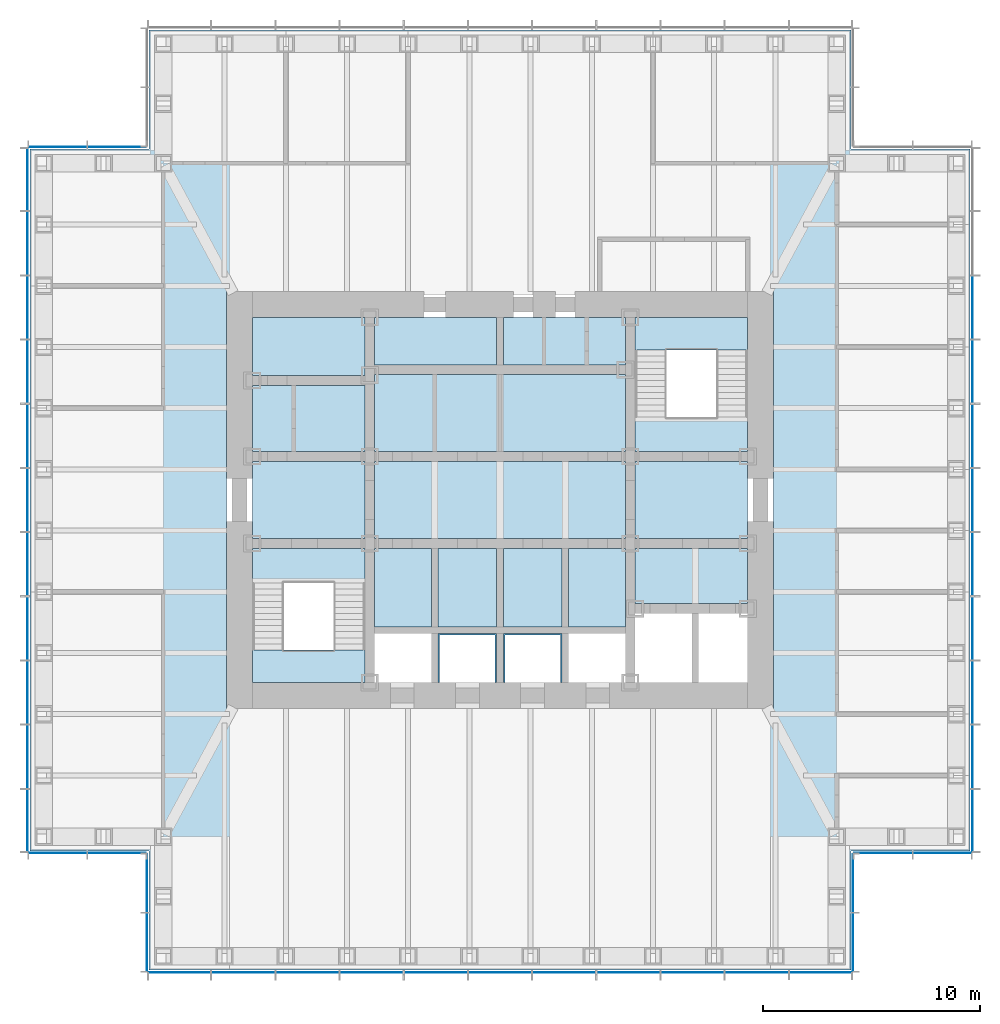
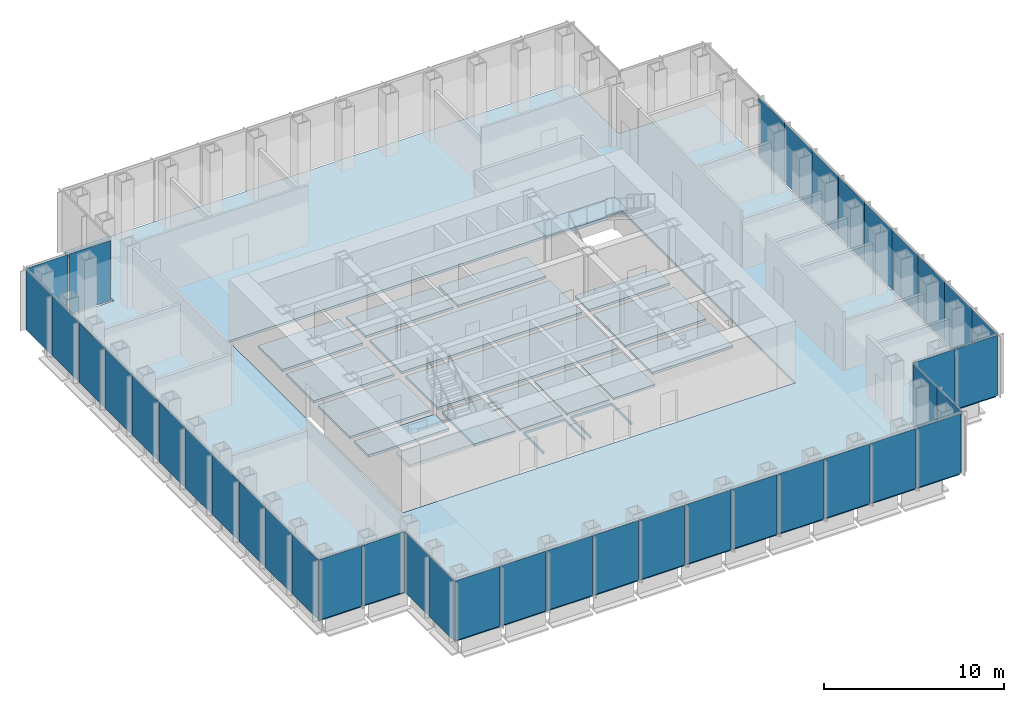
# One storey, part 7 of 16: 41 plates, 20 slabs, 10 elements without a shape of their own.
"""IFC4 building model written with IfcOpenShell, lengths in metres."""

from ifc_helpers import new_model, si_unit, direction, frame, origin, origin_2d, place, context, subcontext, project, spatial, polyline, rectangle, outline, extrude, material, layer, layer_set, type_object, element, aggregate, save


model = new_model("IFC4")

# Units and contexts
model_context = context("Model", 3, precision=1e-05, world=origin(), true_north=direction((0.0, 1.0)))
body_context = subcontext(model_context, "Body", "Model", "MODEL_VIEW")
ifc_project = project(units=[si_unit("LENGTHUNIT", "METRE"), si_unit("AREAUNIT", "SQUARE_METRE"), si_unit("VOLUMEUNIT", "CUBIC_METRE"), si_unit("PLANEANGLEUNIT", "RADIAN"), si_unit("MASSUNIT", "GRAM", prefix="KILO")], contexts=[model_context])

# Site, building, storey
site_placement = place(None, origin())
site = spatial("IfcSite", under=ifc_project, at=site_placement, CompositionType="ELEMENT")
building_placement = place(site_placement, origin())
building = spatial("IfcBuilding", under=site, at=building_placement, Name="Daluyong Arena Tower", CompositionType="ELEMENT")
storey_placement = place(building_placement, frame((0.0, 0.0, 214.89990234375)))
storey = spatial("IfcBuildingStorey", under=building, at=storey_placement, Name="L48", CompositionType="ELEMENT", Elevation=214.89990234375)

# Curtain wall, plates
ifc_material_1 = material(Name="Bronze anodised aluminium and glass", Category="aluminium")
curtain_wall_type_1 = type_object("IfcCurtainWallType", Name="Curtain wall CW3", PredefinedType="USERDEFINED", material=ifc_material_1)
curtain_wall_1_placement = place(storey_placement, origin())
curtain_wall_1 = element("IfcCurtainWall", 1, at=curtain_wall_1_placement, inside=storey, type_object=curtain_wall_type_1, Name="curtain wall L48 S", ObjectType="UNITISED CURTAIN WALL", PredefinedType="USERDEFINED")
ifc_material_2 = material(Name="Tinted double glazed unit", Category="glass")
ifc_layer_1 = layer(ifc_material_2, 0.030029296875)
ifc_layer_set_1 = layer_set([ifc_layer_1], Name="Tinted double glazed unit")
plate_type_1 = type_object("IfcPlateType", Name="CW3 panel 30", PredefinedType="CURTAIN_PANEL", material=ifc_layer_set_1)
plate_1_placement = place(storey_placement, frame((41.244873046875, 58.25, 0.0), z_axis=(0.0, 0.0, 1.0), x_axis=(1.0, 0.0, 0.0)))
plate_1 = element("IfcPlate", 2, at=plate_1_placement, type_object=plate_type_1, Name="curtain wall L48 S panel 1", PredefinedType="CURTAIN_PANEL", context=body_context, shape_type="SweptSolid", body=[
    extrude(rectangle(XDim=2.849609375, YDim=0.030029296875, at=origin_2d()), origin(), (0.0, 0.0, 1.0), 4.0400390625),
])
plate_2_placement = place(storey_placement, frame((44.181884765625, 58.25, 0.0), z_axis=(0.0, 0.0, 1.0), x_axis=(1.0, 0.0, 0.0)))
plate_2 = element("IfcPlate", 3, at=plate_2_placement, type_object=plate_type_1, Name="curtain wall L48 S panel 2", PredefinedType="CURTAIN_PANEL", context=body_context, shape_type="SweptSolid", body=[
    extrude(rectangle(XDim=2.884521484375, YDim=0.030029296875, at=origin_2d()), origin(), (0.0, 0.0, 1.0), 4.0400390625),
])
plate_3_placement = place(storey_placement, frame((47.136474609375, 58.25, 0.0), z_axis=(0.0, 0.0, 1.0), x_axis=(1.0, 0.0, 0.0)))
plate_3 = element("IfcPlate", 4, at=plate_3_placement, type_object=plate_type_1, Name="curtain wall L48 S panel 3", PredefinedType="CURTAIN_PANEL", context=body_context, shape_type="SweptSolid", body=[
    extrude(rectangle(XDim=2.884521484375, YDim=0.030029296875, at=origin_2d()), origin(), (0.0, 0.0, 1.0), 4.0400390625),
])
plate_4_placement = place(storey_placement, frame((50.0908203125, 58.25, 0.0), z_axis=(0.0, 0.0, 1.0), x_axis=(1.0, 0.0, 0.0)))
plate_4 = element("IfcPlate", 5, at=plate_4_placement, type_object=plate_type_1, Name="curtain wall L48 S panel 4", PredefinedType="CURTAIN_PANEL", context=body_context, shape_type="SweptSolid", body=[
    extrude(rectangle(XDim=2.884521484375, YDim=0.030029296875, at=origin_2d()), origin(), (0.0, 0.0, 1.0), 4.0400390625),
])
plate_5_placement = place(storey_placement, frame((53.04541015625, 58.25, 0.0), z_axis=(0.0, 0.0, 1.0), x_axis=(1.0, 0.0, 0.0)))
plate_5 = element("IfcPlate", 6, at=plate_5_placement, type_object=plate_type_1, Name="curtain wall L48 S panel 5", PredefinedType="CURTAIN_PANEL", context=body_context, shape_type="SweptSolid", body=[
    extrude(rectangle(XDim=2.884521484375, YDim=0.030029296875, at=origin_2d()), origin(), (0.0, 0.0, 1.0), 4.0400390625),
])
plate_6_placement = place(storey_placement, frame((56.0, 58.25, 0.0), z_axis=(0.0, 0.0, 1.0), x_axis=(1.0, 0.0, 0.0)))
plate_6 = element("IfcPlate", 7, at=plate_6_placement, type_object=plate_type_1, Name="curtain wall L48 S panel 6", PredefinedType="CURTAIN_PANEL", context=body_context, shape_type="SweptSolid", body=[
    extrude(rectangle(XDim=2.884521484375, YDim=0.030029296875, at=origin_2d()), origin(), (0.0, 0.0, 1.0), 4.0400390625),
])
plate_7_placement = place(storey_placement, frame((58.95458984375, 58.25, 0.0), z_axis=(0.0, 0.0, 1.0), x_axis=(1.0, 0.0, 0.0)))
plate_7 = element("IfcPlate", 8, at=plate_7_placement, type_object=plate_type_1, Name="curtain wall L48 S panel 7", PredefinedType="CURTAIN_PANEL", context=body_context, shape_type="SweptSolid", body=[
    extrude(rectangle(XDim=2.884521484375, YDim=0.030029296875, at=origin_2d()), origin(), (0.0, 0.0, 1.0), 4.0400390625),
])
plate_8_placement = place(storey_placement, frame((61.9091796875, 58.25, 0.0), z_axis=(0.0, 0.0, 1.0), x_axis=(1.0, 0.0, 0.0)))
plate_8 = element("IfcPlate", 9, at=plate_8_placement, type_object=plate_type_1, Name="curtain wall L48 S panel 8", PredefinedType="CURTAIN_PANEL", context=body_context, shape_type="SweptSolid", body=[
    extrude(rectangle(XDim=2.884521484375, YDim=0.030029296875, at=origin_2d()), origin(), (0.0, 0.0, 1.0), 4.0400390625),
])
plate_9_placement = place(storey_placement, frame((64.863525390625, 58.25, 0.0), z_axis=(0.0, 0.0, 1.0), x_axis=(1.0, 0.0, 0.0)))
plate_9 = element("IfcPlate", 10, at=plate_9_placement, type_object=plate_type_1, Name="curtain wall L48 S panel 9", PredefinedType="CURTAIN_PANEL", context=body_context, shape_type="SweptSolid", body=[
    extrude(rectangle(XDim=2.884521484375, YDim=0.030029296875, at=origin_2d()), origin(), (0.0, 0.0, 1.0), 4.0400390625),
])
plate_10_placement = place(storey_placement, frame((67.818115234375, 58.25, 0.0), z_axis=(0.0, 0.0, 1.0), x_axis=(1.0, 0.0, 0.0)))
plate_10 = element("IfcPlate", 11, at=plate_10_placement, type_object=plate_type_1, Name="curtain wall L48 S panel 10", PredefinedType="CURTAIN_PANEL", context=body_context, shape_type="SweptSolid", body=[
    extrude(rectangle(XDim=2.884521484375, YDim=0.030029296875, at=origin_2d()), origin(), (0.0, 0.0, 1.0), 4.0400390625),
])
plate_11_placement = place(storey_placement, frame((70.755126953125, 58.25, 0.0), z_axis=(0.0, 0.0, 1.0), x_axis=(1.0, 0.0, 0.0)))
plate_11 = element("IfcPlate", 12, at=plate_11_placement, type_object=plate_type_1, Name="curtain wall L48 S panel 11", PredefinedType="CURTAIN_PANEL", context=body_context, shape_type="SweptSolid", body=[
    extrude(rectangle(XDim=2.849609375, YDim=0.030029296875, at=origin_2d()), origin(), (0.0, 0.0, 1.0), 4.0400390625),
])
aggregate(curtain_wall_1, [plate_1, plate_2, plate_3, plate_4, plate_5, plate_6, plate_7, plate_8, plate_9, plate_10, plate_11])

curtain_wall_2_placement = place(storey_placement, origin())
curtain_wall_2 = element("IfcCurtainWall", 13, at=curtain_wall_2_placement, inside=storey, type_object=curtain_wall_type_1, Name="curtain wall L48 E", ObjectType="UNITISED CURTAIN WALL", PredefinedType="USERDEFINED")
plate_12_placement = place(storey_placement, frame((77.75, 65.244873046875, 0.0), z_axis=(0.0, 0.0, 1.0), x_axis=(0.0, 1.0, 0.0)))
plate_12 = element("IfcPlate", 14, at=plate_12_placement, type_object=plate_type_1, Name="curtain wall L48 E panel 1", PredefinedType="CURTAIN_PANEL", context=body_context, shape_type="SweptSolid", body=[
    extrude(rectangle(XDim=2.849609375, YDim=0.030029296875, at=origin_2d()), origin(), (0.0, 0.0, 1.0), 4.0400390625),
])
plate_13_placement = place(storey_placement, frame((77.75, 68.181884765625, 0.0), z_axis=(0.0, 0.0, 1.0), x_axis=(0.0, 1.0, 0.0)))
plate_13 = element("IfcPlate", 15, at=plate_13_placement, type_object=plate_type_1, Name="curtain wall L48 E panel 2", PredefinedType="CURTAIN_PANEL", context=body_context, shape_type="SweptSolid", body=[
    extrude(rectangle(XDim=2.884521484375, YDim=0.030029296875, at=origin_2d()), origin(), (0.0, 0.0, 1.0), 4.0400390625),
])
plate_14_placement = place(storey_placement, frame((77.75, 71.136474609375, 0.0), z_axis=(0.0, 0.0, 1.0), x_axis=(0.0, 1.0, 0.0)))
plate_14 = element("IfcPlate", 16, at=plate_14_placement, type_object=plate_type_1, Name="curtain wall L48 E panel 3", PredefinedType="CURTAIN_PANEL", context=body_context, shape_type="SweptSolid", body=[
    extrude(rectangle(XDim=2.884521484375, YDim=0.030029296875, at=origin_2d()), origin(), (0.0, 0.0, 1.0), 4.0400390625),
])
plate_15_placement = place(storey_placement, frame((77.75, 74.0908203125, 0.0), z_axis=(0.0, 0.0, 1.0), x_axis=(0.0, 1.0, 0.0)))
plate_15 = element("IfcPlate", 17, at=plate_15_placement, type_object=plate_type_1, Name="curtain wall L48 E panel 4", PredefinedType="CURTAIN_PANEL", context=body_context, shape_type="SweptSolid", body=[
    extrude(rectangle(XDim=2.884521484375, YDim=0.030029296875, at=origin_2d()), origin(), (0.0, 0.0, 1.0), 4.0400390625),
])
plate_16_placement = place(storey_placement, frame((77.75, 77.04541015625, 0.0), z_axis=(0.0, 0.0, 1.0), x_axis=(0.0, 1.0, 0.0)))
plate_16 = element("IfcPlate", 18, at=plate_16_placement, type_object=plate_type_1, Name="curtain wall L48 E panel 5", PredefinedType="CURTAIN_PANEL", context=body_context, shape_type="SweptSolid", body=[
    extrude(rectangle(XDim=2.884521484375, YDim=0.030029296875, at=origin_2d()), origin(), (0.0, 0.0, 1.0), 4.0400390625),
])
plate_17_placement = place(storey_placement, frame((77.75, 80.0, 0.0), z_axis=(0.0, 0.0, 1.0), x_axis=(0.0, 1.0, 0.0)))
plate_17 = element("IfcPlate", 19, at=plate_17_placement, type_object=plate_type_1, Name="curtain wall L48 E panel 6", PredefinedType="CURTAIN_PANEL", context=body_context, shape_type="SweptSolid", body=[
    extrude(rectangle(XDim=2.884521484375, YDim=0.030029296875, at=origin_2d()), origin(), (0.0, 0.0, 1.0), 4.0400390625),
])
plate_18_placement = place(storey_placement, frame((77.75, 82.95458984375, 0.0), z_axis=(0.0, 0.0, 1.0), x_axis=(0.0, 1.0, 0.0)))
plate_18 = element("IfcPlate", 20, at=plate_18_placement, type_object=plate_type_1, Name="curtain wall L48 E panel 7", PredefinedType="CURTAIN_PANEL", context=body_context, shape_type="SweptSolid", body=[
    extrude(rectangle(XDim=2.884521484375, YDim=0.030029296875, at=origin_2d()), origin(), (0.0, 0.0, 1.0), 4.0400390625),
])
plate_19_placement = place(storey_placement, frame((77.75, 85.9091796875, 0.0), z_axis=(0.0, 0.0, 1.0), x_axis=(0.0, 1.0, 0.0)))
plate_19 = element("IfcPlate", 21, at=plate_19_placement, type_object=plate_type_1, Name="curtain wall L48 E panel 8", PredefinedType="CURTAIN_PANEL", context=body_context, shape_type="SweptSolid", body=[
    extrude(rectangle(XDim=2.884521484375, YDim=0.030029296875, at=origin_2d()), origin(), (0.0, 0.0, 1.0), 4.0400390625),
])
plate_20_placement = place(storey_placement, frame((77.75, 88.863525390625, 0.0), z_axis=(0.0, 0.0, 1.0), x_axis=(0.0, 1.0, 0.0)))
plate_20 = element("IfcPlate", 22, at=plate_20_placement, type_object=plate_type_1, Name="curtain wall L48 E panel 9", PredefinedType="CURTAIN_PANEL", context=body_context, shape_type="SweptSolid", body=[
    extrude(rectangle(XDim=2.884521484375, YDim=0.030029296875, at=origin_2d()), origin(), (0.0, 0.0, 1.0), 4.0400390625),
])
aggregate(curtain_wall_2, [plate_12, plate_13, plate_14, plate_15, plate_16, plate_17, plate_18, plate_19, plate_20])

curtain_wall_3_placement = place(storey_placement, origin())
curtain_wall_3 = element("IfcCurtainWall", 23, at=curtain_wall_3_placement, inside=storey, type_object=curtain_wall_type_1, Name="curtain wall L48 W", ObjectType="UNITISED CURTAIN WALL", PredefinedType="USERDEFINED")
plate_21_placement = place(storey_placement, frame((34.25, 94.755126953125, 0.0), z_axis=(0.0, 0.0, 1.0), x_axis=(0.0, -1.0, 0.0)))
plate_21 = element("IfcPlate", 24, at=plate_21_placement, type_object=plate_type_1, Name="curtain wall L48 W panel 1", PredefinedType="CURTAIN_PANEL", context=body_context, shape_type="SweptSolid", body=[
    extrude(rectangle(XDim=2.849609375, YDim=0.030029296875, at=origin_2d()), origin(), (0.0, 0.0, 1.0), 4.0400390625),
])
plate_22_placement = place(storey_placement, frame((34.25, 91.818115234375, 0.0), z_axis=(0.0, 0.0, 1.0), x_axis=(0.0, -1.0, 0.0)))
plate_22 = element("IfcPlate", 25, at=plate_22_placement, type_object=plate_type_1, Name="curtain wall L48 W panel 2", PredefinedType="CURTAIN_PANEL", context=body_context, shape_type="SweptSolid", body=[
    extrude(rectangle(XDim=2.884521484375, YDim=0.030029296875, at=origin_2d()), origin(), (0.0, 0.0, 1.0), 4.0400390625),
])
plate_23_placement = place(storey_placement, frame((34.25, 88.863525390625, 0.0), z_axis=(0.0, 0.0, 1.0), x_axis=(0.0, -1.0, 0.0)))
plate_23 = element("IfcPlate", 26, at=plate_23_placement, type_object=plate_type_1, Name="curtain wall L48 W panel 3", PredefinedType="CURTAIN_PANEL", context=body_context, shape_type="SweptSolid", body=[
    extrude(rectangle(XDim=2.884521484375, YDim=0.030029296875, at=origin_2d()), origin(), (0.0, 0.0, 1.0), 4.0400390625),
])
plate_24_placement = place(storey_placement, frame((34.25, 85.9091796875, 0.0), z_axis=(0.0, 0.0, 1.0), x_axis=(0.0, -1.0, 0.0)))
plate_24 = element("IfcPlate", 27, at=plate_24_placement, type_object=plate_type_1, Name="curtain wall L48 W panel 4", PredefinedType="CURTAIN_PANEL", context=body_context, shape_type="SweptSolid", body=[
    extrude(rectangle(XDim=2.884521484375, YDim=0.030029296875, at=origin_2d()), origin(), (0.0, 0.0, 1.0), 4.0400390625),
])
plate_25_placement = place(storey_placement, frame((34.25, 82.95458984375, 0.0), z_axis=(0.0, 0.0, 1.0), x_axis=(0.0, -1.0, 0.0)))
plate_25 = element("IfcPlate", 28, at=plate_25_placement, type_object=plate_type_1, Name="curtain wall L48 W panel 5", PredefinedType="CURTAIN_PANEL", context=body_context, shape_type="SweptSolid", body=[
    extrude(rectangle(XDim=2.884521484375, YDim=0.030029296875, at=origin_2d()), origin(), (0.0, 0.0, 1.0), 4.0400390625),
])
plate_26_placement = place(storey_placement, frame((34.25, 80.0, 0.0), z_axis=(0.0, 0.0, 1.0), x_axis=(0.0, -1.0, 0.0)))
plate_26 = element("IfcPlate", 29, at=plate_26_placement, type_object=plate_type_1, Name="curtain wall L48 W panel 6", PredefinedType="CURTAIN_PANEL", context=body_context, shape_type="SweptSolid", body=[
    extrude(rectangle(XDim=2.884521484375, YDim=0.030029296875, at=origin_2d()), origin(), (0.0, 0.0, 1.0), 4.0400390625),
])
plate_27_placement = place(storey_placement, frame((34.25, 77.04541015625, 0.0), z_axis=(0.0, 0.0, 1.0), x_axis=(0.0, -1.0, 0.0)))
plate_27 = element("IfcPlate", 30, at=plate_27_placement, type_object=plate_type_1, Name="curtain wall L48 W panel 7", PredefinedType="CURTAIN_PANEL", context=body_context, shape_type="SweptSolid", body=[
    extrude(rectangle(XDim=2.884521484375, YDim=0.030029296875, at=origin_2d()), origin(), (0.0, 0.0, 1.0), 4.0400390625),
])
plate_28_placement = place(storey_placement, frame((34.25, 74.0908203125, 0.0), z_axis=(0.0, 0.0, 1.0), x_axis=(0.0, -1.0, 0.0)))
plate_28 = element("IfcPlate", 31, at=plate_28_placement, type_object=plate_type_1, Name="curtain wall L48 W panel 8", PredefinedType="CURTAIN_PANEL", context=body_context, shape_type="SweptSolid", body=[
    extrude(rectangle(XDim=2.884521484375, YDim=0.030029296875, at=origin_2d()), origin(), (0.0, 0.0, 1.0), 4.0400390625),
])
plate_29_placement = place(storey_placement, frame((34.25, 71.136474609375, 0.0), z_axis=(0.0, 0.0, 1.0), x_axis=(0.0, -1.0, 0.0)))
plate_29 = element("IfcPlate", 32, at=plate_29_placement, type_object=plate_type_1, Name="curtain wall L48 W panel 9", PredefinedType="CURTAIN_PANEL", context=body_context, shape_type="SweptSolid", body=[
    extrude(rectangle(XDim=2.884521484375, YDim=0.030029296875, at=origin_2d()), origin(), (0.0, 0.0, 1.0), 4.0400390625),
])
plate_30_placement = place(storey_placement, frame((34.25, 68.181884765625, 0.0), z_axis=(0.0, 0.0, 1.0), x_axis=(0.0, -1.0, 0.0)))
plate_30 = element("IfcPlate", 33, at=plate_30_placement, type_object=plate_type_1, Name="curtain wall L48 W panel 10", PredefinedType="CURTAIN_PANEL", context=body_context, shape_type="SweptSolid", body=[
    extrude(rectangle(XDim=2.884521484375, YDim=0.030029296875, at=origin_2d()), origin(), (0.0, 0.0, 1.0), 4.0400390625),
])
plate_31_placement = place(storey_placement, frame((34.25, 65.244873046875, 0.0), z_axis=(0.0, 0.0, 1.0), x_axis=(0.0, -1.0, 0.0)))
plate_31 = element("IfcPlate", 34, at=plate_31_placement, type_object=plate_type_1, Name="curtain wall L48 W panel 11", PredefinedType="CURTAIN_PANEL", context=body_context, shape_type="SweptSolid", body=[
    extrude(rectangle(XDim=2.849609375, YDim=0.030029296875, at=origin_2d()), origin(), (0.0, 0.0, 1.0), 4.0400390625),
])
aggregate(curtain_wall_3, [plate_21, plate_22, plate_23, plate_24, plate_25, plate_26, plate_27, plate_28, plate_29, plate_30, plate_31])

ifc_material_3 = material(Name="Bronze anodised aluminium and glass", Category="aluminium")
curtain_wall_type_2 = type_object("IfcCurtainWallType", Name="Curtain wall CW7", PredefinedType="USERDEFINED", material=ifc_material_3)
curtain_wall_4_placement = place(storey_placement, origin())
curtain_wall_4 = element("IfcCurtainWall", 35, at=curtain_wall_4_placement, inside=storey, type_object=curtain_wall_type_2, Name="curtain wall L48 SE-E", ObjectType="UNITISED CURTAIN WALL", PredefinedType="USERDEFINED")
ifc_material_4 = material(Name="Tinted double glazed unit", Category="glass")
ifc_layer_2 = layer(ifc_material_4, 0.028076171875)
ifc_layer_set_2 = layer_set([ifc_layer_2], Name="Tinted double glazed unit")
plate_type_2 = type_object("IfcPlateType", Name="CW7 panel 28", PredefinedType="CURTAIN_PANEL", material=ifc_layer_set_2)
plate_32_placement = place(storey_placement, frame((72.25, 59.639892578125, 0.0), z_axis=(0.0, 0.0, 1.0), x_axis=(0.0, 1.0, 0.0)))
plate_32 = element("IfcPlate", 36, at=plate_32_placement, type_object=plate_type_2, Name="curtain wall L48 SE-E panel 1", PredefinedType="CURTAIN_PANEL", context=body_context, shape_type="SweptSolid", body=[
    extrude(rectangle(XDim=2.659912109375, YDim=0.028076171875, at=origin_2d()), origin(), (0.0, 0.0, 1.0), 4.080078125),
])
plate_33_placement = place(storey_placement, frame((72.25, 62.360107421875, 0.0), z_axis=(0.0, 0.0, 1.0), x_axis=(0.0, 1.0, 0.0)))
plate_33 = element("IfcPlate", 37, at=plate_33_placement, type_object=plate_type_2, Name="curtain wall L48 SE-E panel 2", PredefinedType="CURTAIN_PANEL", context=body_context, shape_type="SweptSolid", body=[
    extrude(rectangle(XDim=2.659912109375, YDim=0.028076171875, at=origin_2d()), origin(), (0.0, 0.0, 1.0), 4.080078125),
])
aggregate(curtain_wall_4, [plate_32, plate_33])

curtain_wall_5_placement = place(storey_placement, origin())
curtain_wall_5 = element("IfcCurtainWall", 38, at=curtain_wall_5_placement, inside=storey, type_object=curtain_wall_type_2, Name="curtain wall L48 SE-S", ObjectType="UNITISED CURTAIN WALL", PredefinedType="USERDEFINED")
plate_34_placement = place(storey_placement, frame((73.639892578125, 63.75, 0.0), z_axis=(0.0, 0.0, 1.0), x_axis=(1.0, 0.0, 0.0)))
plate_34 = element("IfcPlate", 39, at=plate_34_placement, type_object=plate_type_2, Name="curtain wall L48 SE-S panel 1", PredefinedType="CURTAIN_PANEL", context=body_context, shape_type="SweptSolid", body=[
    extrude(rectangle(XDim=2.659912109375, YDim=0.028076171875, at=origin_2d()), origin(), (0.0, 0.0, 1.0), 4.080078125),
])
plate_35_placement = place(storey_placement, frame((76.360107421875, 63.75, 0.0), z_axis=(0.0, 0.0, 1.0), x_axis=(1.0, 0.0, 0.0)))
plate_35 = element("IfcPlate", 40, at=plate_35_placement, type_object=plate_type_2, Name="curtain wall L48 SE-S panel 2", PredefinedType="CURTAIN_PANEL", context=body_context, shape_type="SweptSolid", body=[
    extrude(rectangle(XDim=2.659912109375, YDim=0.028076171875, at=origin_2d()), origin(), (0.0, 0.0, 1.0), 4.080078125),
])
aggregate(curtain_wall_5, [plate_34, plate_35])

curtain_wall_6_placement = place(storey_placement, origin())
curtain_wall_6 = element("IfcCurtainWall", 41, at=curtain_wall_6_placement, inside=storey, type_object=curtain_wall_type_2, Name="curtain wall L48 NW-N", ObjectType="UNITISED CURTAIN WALL", PredefinedType="USERDEFINED")
plate_36_placement = place(storey_placement, frame((38.360107421875, 96.25, 0.0), z_axis=(0.0, 0.0, 1.0), x_axis=(-1.0, 0.0, 0.0)))
plate_36 = element("IfcPlate", 42, at=plate_36_placement, type_object=plate_type_2, Name="curtain wall L48 NW-N panel 1", PredefinedType="CURTAIN_PANEL", context=body_context, shape_type="SweptSolid", body=[
    extrude(rectangle(XDim=2.659912109375, YDim=0.028076171875, at=origin_2d()), origin(), (0.0, 0.0, 1.0), 4.080078125),
])
plate_37_placement = place(storey_placement, frame((35.639892578125, 96.25, 0.0), z_axis=(0.0, 0.0, 1.0), x_axis=(-1.0, 0.0, 0.0)))
plate_37 = element("IfcPlate", 43, at=plate_37_placement, type_object=plate_type_2, Name="curtain wall L48 NW-N panel 2", PredefinedType="CURTAIN_PANEL", context=body_context, shape_type="SweptSolid", body=[
    extrude(rectangle(XDim=2.659912109375, YDim=0.028076171875, at=origin_2d()), origin(), (0.0, 0.0, 1.0), 4.080078125),
])
aggregate(curtain_wall_6, [plate_36, plate_37])

curtain_wall_7_placement = place(storey_placement, origin())
curtain_wall_7 = element("IfcCurtainWall", 44, at=curtain_wall_7_placement, inside=storey, type_object=curtain_wall_type_2, Name="curtain wall L48 SW-S", ObjectType="UNITISED CURTAIN WALL", PredefinedType="USERDEFINED")
plate_38_placement = place(storey_placement, frame((35.639892578125, 63.75, 0.0), z_axis=(0.0, 0.0, 1.0), x_axis=(1.0, 0.0, 0.0)))
plate_38 = element("IfcPlate", 45, at=plate_38_placement, type_object=plate_type_2, Name="curtain wall L48 SW-S panel 1", PredefinedType="CURTAIN_PANEL", context=body_context, shape_type="SweptSolid", body=[
    extrude(rectangle(XDim=2.659912109375, YDim=0.028076171875, at=origin_2d()), origin(), (0.0, 0.0, 1.0), 4.080078125),
])
plate_39_placement = place(storey_placement, frame((38.360107421875, 63.75, 0.0), z_axis=(0.0, 0.0, 1.0), x_axis=(1.0, 0.0, 0.0)))
plate_39 = element("IfcPlate", 46, at=plate_39_placement, type_object=plate_type_2, Name="curtain wall L48 SW-S panel 2", PredefinedType="CURTAIN_PANEL", context=body_context, shape_type="SweptSolid", body=[
    extrude(rectangle(XDim=2.659912109375, YDim=0.028076171875, at=origin_2d()), origin(), (0.0, 0.0, 1.0), 4.080078125),
])
aggregate(curtain_wall_7, [plate_38, plate_39])

curtain_wall_8_placement = place(storey_placement, origin())
curtain_wall_8 = element("IfcCurtainWall", 47, at=curtain_wall_8_placement, inside=storey, type_object=curtain_wall_type_2, Name="curtain wall L48 SW-W", ObjectType="UNITISED CURTAIN WALL", PredefinedType="USERDEFINED")
plate_40_placement = place(storey_placement, frame((39.75, 62.360107421875, 0.0), z_axis=(0.0, 0.0, 1.0), x_axis=(0.0, -1.0, 0.0)))
plate_40 = element("IfcPlate", 48, at=plate_40_placement, type_object=plate_type_2, Name="curtain wall L48 SW-W panel 1", PredefinedType="CURTAIN_PANEL", context=body_context, shape_type="SweptSolid", body=[
    extrude(rectangle(XDim=2.659912109375, YDim=0.028076171875, at=origin_2d()), origin(), (0.0, 0.0, 1.0), 4.080078125),
])
plate_41_placement = place(storey_placement, frame((39.75, 59.639892578125, 0.0), z_axis=(0.0, 0.0, 1.0), x_axis=(0.0, -1.0, 0.0)))
plate_41 = element("IfcPlate", 49, at=plate_41_placement, type_object=plate_type_2, Name="curtain wall L48 SW-W panel 2", PredefinedType="CURTAIN_PANEL", context=body_context, shape_type="SweptSolid", body=[
    extrude(rectangle(XDim=2.659912109375, YDim=0.028076171875, at=origin_2d()), origin(), (0.0, 0.0, 1.0), 4.080078125),
])
aggregate(curtain_wall_8, [plate_40, plate_41])

# Stair, slab
ifc_material_5 = material(Name="Concrete fc' 35 MPa", Category="concrete")
stair_type = type_object("IfcStairType", Name="Core exit stair", PredefinedType="HALF_TURN_STAIR", material=ifc_material_5)
stair_1_placement = place(storey_placement, origin())
stair_1 = element("IfcStair", 50, at=stair_1_placement, inside=storey, type_object=stair_type, Name="exit stair A L48", PredefinedType="HALF_TURN_STAIR")
ifc_material_6 = material(Name="Concrete fc' 35 MPa", Category="concrete")
ifc_layer_3 = layer(ifc_material_6, 0.199951171875)
ifc_layer_set_3 = layer_set([ifc_layer_3], Name="Concrete fc' 35 MPa")
slab_type_1 = type_object("IfcSlabType", Name="Stair landing 200", PredefinedType="LANDING", material=ifc_layer_set_3)
slab_1_placement = place(storey_placement, frame((0.0, 0.0, 1.900146484375)))
slab_1 = element("IfcSlab", 51, at=slab_1_placement, type_object=slab_type_1, Name="STA landing 1", PredefinedType="LANDING", context=body_context, shape_type="SweptSolid", body=[
    extrude(outline(polyline([(44.60009765625, 71.60009765625), (49.77490234375, 71.60009765625), (49.77490234375, 73.094970703125), (44.60009765625, 73.094970703125), (44.60009765625, 71.60009765625)])), origin(), (0.0, 0.0, 1.0), 0.199951171875),
])
aggregate(stair_1, [slab_1])

stair_2_placement = place(storey_placement, origin())
stair_2 = element("IfcStair", 52, at=stair_2_placement, inside=storey, type_object=stair_type, Name="exit stair B L48", PredefinedType="HALF_TURN_STAIR")
slab_2_placement = place(storey_placement, frame((0.0, 0.0, 1.900146484375)))
slab_2 = element("IfcSlab", 53, at=slab_2_placement, type_object=slab_type_1, Name="STB landing 1", PredefinedType="LANDING", context=body_context, shape_type="SweptSolid", body=[
    extrude(outline(polyline([(62.22509765625, 86.905029296875), (67.39990234375, 86.905029296875), (67.39990234375, 88.39990234375), (62.22509765625, 88.39990234375), (62.22509765625, 86.905029296875)])), origin(), (0.0, 0.0, 1.0), 0.199951171875),
])
aggregate(stair_2, [slab_2])

# Slabs
ifc_material_7 = material(Name="Concrete fc' 35 MPa", Category="concrete")
ifc_layer_4 = layer(ifc_material_7, 0.159912109375)
ifc_layer_set_4 = layer_set([ifc_layer_4], Name="Concrete fc' 35 MPa")
slab_type_2 = type_object("IfcSlabType", Name="Tower floor slab 160", PredefinedType="FLOOR", material=ifc_layer_set_4)
slab_3_placement = place(storey_placement, frame((0.0, 0.0, -0.159912109375)))
element("IfcSlab", 54, at=slab_3_placement, inside=storey, type_object=slab_type_2, Name="floor L48 part 1", PredefinedType="FLOOR", context=body_context, shape_type="SweptSolid", body=[
    extrude(outline(polyline([(49.77490234375, 77.77490234375), (44.60009765625, 77.77490234375), (44.60009765625, 76.175048828125), (49.77490234375, 76.175048828125), (49.77490234375, 77.77490234375)])), origin(), (0.0, 0.0, 1.0), 0.159912109375),
])
slab_4_placement = place(storey_placement, frame((0.0, 0.0, -0.159912109375)))
element("IfcSlab", 55, at=slab_4_placement, inside=storey, type_object=slab_type_2, Name="floor L48 part 2", PredefinedType="FLOOR", context=body_context, shape_type="SweptSolid", body=[
    extrude(outline(polyline([(49.77490234375, 78.22509765625), (49.77490234375, 81.77490234375), (44.60009765625, 81.77490234375), (44.60009765625, 78.22509765625), (49.77490234375, 78.22509765625)])), origin(), (0.0, 0.0, 1.0), 0.159912109375),
])
slab_5_placement = place(storey_placement, frame((0.0, 0.0, -0.159912109375)))
element("IfcSlab", 56, at=slab_5_placement, inside=storey, type_object=slab_type_2, Name="floor L48 part 3", PredefinedType="FLOOR", context=body_context, shape_type="SweptSolid", body=[
    extrude(outline(polyline([(44.60009765625, 85.27490234375), (44.60009765625, 82.22509765625), (49.77490234375, 82.22509765625), (49.77490234375, 85.27490234375), (44.60009765625, 85.27490234375)])), origin(), (0.0, 0.0, 1.0), 0.159912109375),
])
slab_6_placement = place(storey_placement, frame((0.0, 0.0, -0.159912109375)))
element("IfcSlab", 57, at=slab_6_placement, inside=storey, type_object=slab_type_2, Name="floor L48 part 4", PredefinedType="FLOOR", context=body_context, shape_type="SweptSolid", body=[
    extrude(outline(polyline([(44.60009765625, 88.39990234375), (44.60009765625, 85.72509765625), (49.77490234375, 85.72509765625), (49.77490234375, 88.39990234375), (44.60009765625, 88.39990234375)])), origin(), (0.0, 0.0, 1.0), 0.159912109375),
])
slab_7_placement = place(storey_placement, frame((0.0, 0.0, -0.159912109375)))
element("IfcSlab", 58, at=slab_7_placement, inside=storey, type_object=slab_type_2, Name="floor L48 part 5", PredefinedType="FLOOR", context=body_context, shape_type="SweptSolid", body=[
    extrude(outline(polyline([(52.85009765625, 74.14990234375), (52.85009765625, 77.77490234375), (50.22509765625, 77.77490234375), (50.22509765625, 74.14990234375), (52.85009765625, 74.14990234375)])), origin(), (0.0, 0.0, 1.0), 0.159912109375),
])
slab_8_placement = place(storey_placement, frame((0.0, 0.0, -0.159912109375)))
element("IfcSlab", 59, at=slab_8_placement, inside=storey, type_object=slab_type_2, Name="floor L48 part 6", PredefinedType="FLOOR", context=body_context, shape_type="SweptSolid", body=[
    extrude(outline(polyline([(50.22509765625, 88.39990234375), (50.22509765625, 86.22509765625), (55.85009765625, 86.22509765625), (55.85009765625, 88.39990234375), (50.22509765625, 88.39990234375)])), origin(), (0.0, 0.0, 1.0), 0.159912109375),
])
slab_9_placement = place(storey_placement, frame((0.0, 0.0, -0.159912109375)))
element("IfcSlab", 60, at=slab_9_placement, inside=storey, type_object=slab_type_2, Name="floor L48 part 7", PredefinedType="FLOOR", context=body_context, shape_type="SweptSolid", body=[
    extrude(outline(polyline([(53.22509765625, 71.60009765625), (53.22509765625, 73.77490234375), (55.77490234375, 73.77490234375), (55.77490234375, 71.60009765625), (55.85009765625, 71.60009765625), (55.85009765625, 73.85009765625), (53.14990234375, 73.85009765625), (53.14990234375, 71.60009765625), (53.22509765625, 71.60009765625)])), origin(), (0.0, 0.0, 1.0), 0.159912109375),
])
slab_10_placement = place(storey_placement, frame((0.0, 0.0, -0.159912109375)))
element("IfcSlab", 61, at=slab_10_placement, inside=storey, type_object=slab_type_2, Name="floor L48 part 8", PredefinedType="FLOOR", context=body_context, shape_type="SweptSolid", body=[
    extrude(outline(polyline([(53.14990234375, 74.14990234375), (55.85009765625, 74.14990234375), (55.85009765625, 77.77490234375), (53.14990234375, 77.77490234375), (53.14990234375, 74.14990234375)])), origin(), (0.0, 0.0, 1.0), 0.159912109375),
])
slab_11_placement = place(storey_placement, frame((0.0, 0.0, -0.159912109375)))
element("IfcSlab", 62, at=slab_11_placement, inside=storey, type_object=slab_type_2, Name="floor L48 part 9", PredefinedType="FLOOR", context=body_context, shape_type="SweptSolid", body=[
    extrude(outline(polyline([(39.85009765625, 63.85009765625), (39.85009765625, 58.35009765625), (72.14990234375, 58.35009765625), (72.14990234375, 63.85009765625), (77.64990234375, 63.85009765625), (77.64990234375, 96.14990234375), (72.14990234375, 96.14990234375), (72.14990234375, 101.64990234375), (39.85009765625, 101.64990234375), (39.85009765625, 96.14990234375), (34.35009765625, 96.14990234375), (34.35009765625, 63.85009765625), (39.85009765625, 63.85009765625)]), holes=[polyline([(68.60009765625, 89.60009765625), (68.60009765625, 70.39990234375), (43.39990234375, 70.39990234375), (43.39990234375, 89.60009765625), (68.60009765625, 89.60009765625)])]), origin(), (0.0, 0.0, 1.0), 0.159912109375),
])
slab_12_placement = place(storey_placement, frame((0.0, 0.0, -0.159912109375)))
element("IfcSlab", 63, at=slab_12_placement, inside=storey, type_object=slab_type_2, Name="floor L48 part 10", PredefinedType="FLOOR", context=body_context, shape_type="SweptSolid", body=[
    extrude(outline(polyline([(50.22509765625, 81.77490234375), (50.22509765625, 78.22509765625), (61.77490234375, 78.22509765625), (61.77490234375, 81.77490234375), (50.22509765625, 81.77490234375)])), origin(), (0.0, 0.0, 1.0), 0.159912109375),
])
slab_13_placement = place(storey_placement, frame((0.0, 0.0, -0.159912109375)))
element("IfcSlab", 64, at=slab_13_placement, inside=storey, type_object=slab_type_2, Name="floor L48 part 11", PredefinedType="FLOOR", context=body_context, shape_type="SweptSolid", body=[
    extrude(outline(polyline([(50.22509765625, 85.77490234375), (50.22509765625, 82.22509765625), (61.77490234375, 82.22509765625), (61.77490234375, 85.77490234375), (50.22509765625, 85.77490234375)])), origin(), (0.0, 0.0, 1.0), 0.159912109375),
])
slab_14_placement = place(storey_placement, frame((0.0, 0.0, -0.159912109375)))
element("IfcSlab", 65, at=slab_14_placement, inside=storey, type_object=slab_type_2, Name="floor L48 part 12", PredefinedType="FLOOR", context=body_context, shape_type="SweptSolid", body=[
    extrude(outline(polyline([(56.22509765625, 71.60009765625), (56.22509765625, 73.77490234375), (58.77490234375, 73.77490234375), (58.77490234375, 71.60009765625), (58.85009765625, 71.60009765625), (58.85009765625, 73.85009765625), (56.14990234375, 73.85009765625), (56.14990234375, 71.60009765625), (56.22509765625, 71.60009765625)])), origin(), (0.0, 0.0, 1.0), 0.159912109375),
])
slab_15_placement = place(storey_placement, frame((0.0, 0.0, -0.159912109375)))
element("IfcSlab", 66, at=slab_15_placement, inside=storey, type_object=slab_type_2, Name="floor L48 part 13", PredefinedType="FLOOR", context=body_context, shape_type="SweptSolid", body=[
    extrude(outline(polyline([(58.85009765625, 77.77490234375), (56.14990234375, 77.77490234375), (56.14990234375, 74.14990234375), (58.85009765625, 74.14990234375), (58.85009765625, 77.77490234375)])), origin(), (0.0, 0.0, 1.0), 0.159912109375),
])
slab_16_placement = place(storey_placement, frame((0.0, 0.0, -0.159912109375)))
element("IfcSlab", 67, at=slab_16_placement, inside=storey, type_object=slab_type_2, Name="floor L48 part 14", PredefinedType="FLOOR", context=body_context, shape_type="SweptSolid", body=[
    extrude(outline(polyline([(56.14990234375, 88.39990234375), (56.14990234375, 86.22509765625), (61.77490234375, 86.22509765625), (61.77490234375, 88.39990234375), (56.14990234375, 88.39990234375)])), origin(), (0.0, 0.0, 1.0), 0.159912109375),
])
slab_17_placement = place(storey_placement, frame((0.0, 0.0, -0.159912109375)))
element("IfcSlab", 68, at=slab_17_placement, inside=storey, type_object=slab_type_2, Name="floor L48 part 15", PredefinedType="FLOOR", context=body_context, shape_type="SweptSolid", body=[
    extrude(outline(polyline([(61.77490234375, 77.77490234375), (59.14990234375, 77.77490234375), (59.14990234375, 74.14990234375), (61.77490234375, 74.14990234375), (61.77490234375, 77.77490234375)])), origin(), (0.0, 0.0, 1.0), 0.159912109375),
])
slab_18_placement = place(storey_placement, frame((0.0, 0.0, -0.159912109375)))
element("IfcSlab", 69, at=slab_18_placement, inside=storey, type_object=slab_type_2, Name="floor L48 part 16", PredefinedType="FLOOR", context=body_context, shape_type="SweptSolid", body=[
    extrude(outline(polyline([(67.39990234375, 75.22509765625), (67.39990234375, 77.77490234375), (62.22509765625, 77.77490234375), (62.22509765625, 75.22509765625), (67.39990234375, 75.22509765625)])), origin(), (0.0, 0.0, 1.0), 0.159912109375),
])
slab_19_placement = place(storey_placement, frame((0.0, 0.0, -0.159912109375)))
element("IfcSlab", 70, at=slab_19_placement, inside=storey, type_object=slab_type_2, Name="floor L48 part 17", PredefinedType="FLOOR", context=body_context, shape_type="SweptSolid", body=[
    extrude(outline(polyline([(67.39990234375, 78.22509765625), (67.39990234375, 81.77490234375), (62.22509765625, 81.77490234375), (62.22509765625, 78.22509765625), (67.39990234375, 78.22509765625)])), origin(), (0.0, 0.0, 1.0), 0.159912109375),
])
slab_20_placement = place(storey_placement, frame((0.0, 0.0, -0.159912109375)))
element("IfcSlab", 71, at=slab_20_placement, inside=storey, type_object=slab_type_2, Name="floor L48 part 18", PredefinedType="FLOOR", context=body_context, shape_type="SweptSolid", body=[
    extrude(outline(polyline([(67.39990234375, 83.824951171875), (62.22509765625, 83.824951171875), (62.22509765625, 82.22509765625), (67.39990234375, 82.22509765625), (67.39990234375, 83.824951171875)])), origin(), (0.0, 0.0, 1.0), 0.159912109375),
])

save(model, "model.ifc")
